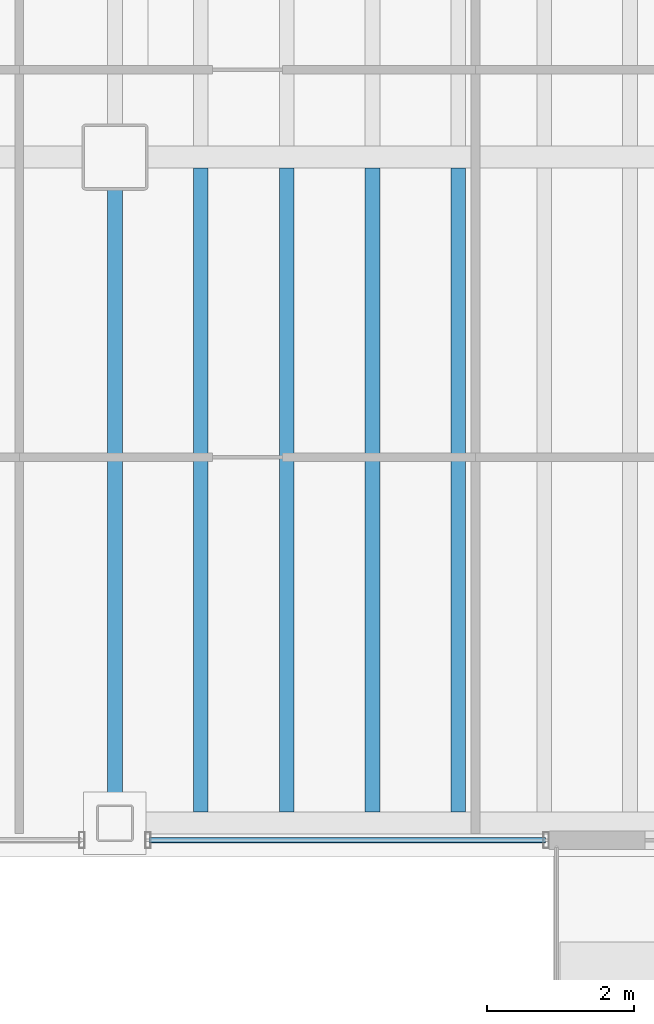
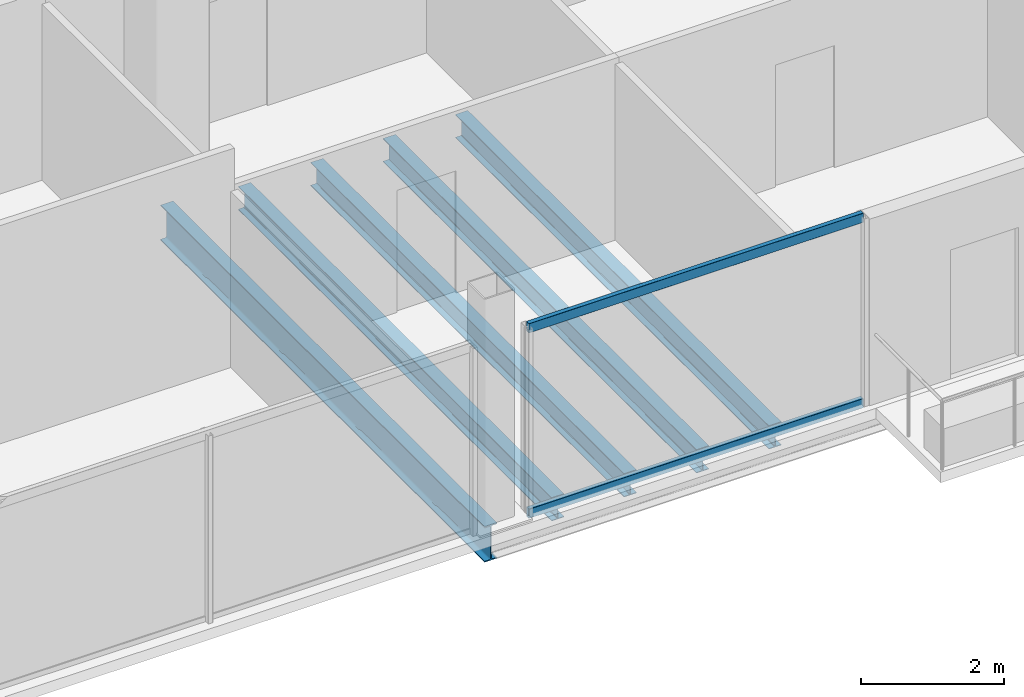
# One storey, part 3 of 22: 5 beams, 2 members, 1 element without a shape of its own.
"""IFC4 building model written with IfcOpenShell, lengths in metres."""

from ifc_helpers import new_model, si_unit, direction, frame, origin, origin_2d, place, context, subcontext, project, spatial, hollow_rectangle, i_section, extrude, material, material_profile, profile_set, type_object, element, aggregate, save


model = new_model("IFC4")

# Units and contexts
model_context = context("Model", 3, precision=1e-05, world=origin(), true_north=direction((0.0, 1.0)))
body_context = subcontext(model_context, "Body", "Model", "MODEL_VIEW")
ifc_project = project(units=[si_unit("LENGTHUNIT", "METRE"), si_unit("AREAUNIT", "SQUARE_METRE"), si_unit("VOLUMEUNIT", "CUBIC_METRE"), si_unit("PLANEANGLEUNIT", "RADIAN"), si_unit("MASSUNIT", "GRAM", prefix="KILO")], contexts=[model_context])

# Site, building, storey
site_placement = place(None, origin())
site = spatial("IfcSite", under=ifc_project, at=site_placement, CompositionType="ELEMENT")
building_placement = place(site_placement, origin())
building = spatial("IfcBuilding", under=site, at=building_placement, Name="Noeulbin Bourse Tower", CompositionType="ELEMENT")
storey_placement = place(building_placement, frame((0.0, 0.0, 130.5)))
storey = spatial("IfcBuildingStorey", under=building, at=storey_placement, Name="L32", CompositionType="ELEMENT", Elevation=130.5)

# Beams
ifc_material_1 = material(Name="Steel S355", Category="steel")
ifc_material_profile_1 = material_profile(ifc_material_1, i_section(OverallWidth=0.199951171875, OverallDepth=0.60009765625, WebThickness=0.010986328125, FlangeThickness=0.01708984375, FilletRadius=0.02197265625, at=origin_2d()), Name="H-600x200x11x17", Category="LoadBearing")
ifc_profile_set_1 = profile_set([ifc_material_profile_1], Name="Steel S355")
beam_type_1 = type_object("IfcBeamType", Name="BM-GRD-600", PredefinedType="USERDEFINED", material=ifc_profile_set_1)
beam_placement = place(storey_placement, frame((13.5, 10.949951171875, -0.47998046875), z_axis=(0.0, 1.0, 0.0), x_axis=(-1.0, 0.0, 0.0)))
element("IfcBeam", 1, at=beam_placement, inside=storey, type_object=beam_type_1, Name="Tower Primary Girder NS L32-1.1", ObjectType="GIRDER", PredefinedType="USERDEFINED", context=body_context, shape_type="SweptSolid", body=[
    extrude(i_section(OverallWidth=0.199951171875, OverallDepth=0.60009765625, WebThickness=0.010986328125, FlangeThickness=0.01708984375, FilletRadius=0.02197265625, at=origin_2d()), origin(), (0.0, 0.0, 1.0), 9.050048828125),
])
ifc_material_profile_2 = material_profile(ifc_material_1, i_section(OverallWidth=0.199951171875, OverallDepth=0.39990234375, WebThickness=0.008056640625, FlangeThickness=0.012939453125, FilletRadius=0.01611328125, at=origin_2d()), Name="H-400x200x8x13", Category="LoadBearing")
ifc_profile_set_2 = profile_set([ifc_material_profile_2], Name="Steel S355")
beam_type_2 = type_object("IfcBeamType", Name="BM-SEC-400", PredefinedType="BEAM", material=ifc_profile_set_2)
for number, where, z_axis, x_axis, name in (
    (2, (14.666748046875, 11.10009765625, -0.3798828125), (0.0, 1.0, 0.0), (-1.0, 0.0, 0.0), "Tower Composite Joist L32-01"),
    (3, (15.833251953125, 11.10009765625, -0.3798828125), (0.0, 1.0, 0.0), (-1.0, 0.0, 0.0), "Tower Composite Joist L32-03"),
    (4, (17.0, 11.10009765625, -0.3798828125), (0.0, 1.0, 0.0), (-1.0, 0.0, 0.0), "Tower Composite Joist L32-05"),
    (5, (18.166748046875, 11.10009765625, -0.3798828125), (0.0, 1.0, 0.0), (-1.0, 0.0, 0.0), "Tower Composite Joist L32-07"),
):
    element("IfcBeam", number, at=place(storey_placement, frame(where, z_axis=z_axis, x_axis=x_axis)), inside=storey, type_object=beam_type_2, Name=name, PredefinedType="BEAM", context=body_context, shape_type="SweptSolid", body=[
        extrude(i_section(OverallWidth=0.199951171875, OverallDepth=0.39990234375, WebThickness=0.008056640625, FlangeThickness=0.012939453125, FilletRadius=0.01611328125, at=origin_2d()), origin(), (0.0, 0.0, 1.0), 8.75),
    ])

# Curtain wall, members
ifc_material_2 = material(Name="Dark Tinted Triple Glazing", Category="glass")
curtain_wall_type = type_object("IfcCurtainWallType", Name="CW-SYS-3", PredefinedType="NOTDEFINED", material=ifc_material_2)
curtain_wall_placement = place(storey_placement, origin())
curtain_wall = element("IfcCurtainWall", 6, at=curtain_wall_placement, inside=storey, type_object=curtain_wall_type, Name="Unitised Curtain Wall CW-L32-S1-S2", PredefinedType="NOTDEFINED")
ifc_material_3 = material(Name="Anodised Aluminium 6063-T6", Category="aluminium")
ifc_material_profile_3 = material_profile(ifc_material_3, hollow_rectangle(XDim=0.074951171875, YDim=0.159912109375, WallThickness=0.0048828125, InnerFilletRadius=0.00244140625, OuterFilletRadius=0.0048828125, at=origin_2d()), Name="ALU-TRAN-75x160x5", Category="LoadBearing")
ifc_profile_set_3 = profile_set([ifc_material_profile_3], Name="Anodised Aluminium 6063-T6")
member_type = type_object("IfcMemberType", Name="CW-SYS-3-TRN", PredefinedType="USERDEFINED", material=ifc_profile_set_3)
member_1_placement = place(storey_placement, frame((13.9599609375, 10.719970703125, 0.010009765625), z_axis=(1.0, 0.0, 0.0), x_axis=(0.0, 1.0, 0.0)))
member_1 = element("IfcMember", 7, at=member_1_placement, type_object=member_type, Name="Curtain Wall Transom CW-L32-S1-S2-T00", ObjectType="TRANSOM", PredefinedType="USERDEFINED", context=body_context, shape_type="SweptSolid", body=[
    extrude(hollow_rectangle(XDim=0.074951171875, YDim=0.159912109375, WallThickness=0.0048828125, InnerFilletRadius=0.00244140625, OuterFilletRadius=0.0048828125, at=origin_2d()), origin(), (0.0, 0.0, 1.0), 5.39013671875),
])
member_2_placement = place(storey_placement, frame((13.9599609375, 10.719970703125, 3.169921875), z_axis=(1.0, 0.0, 0.0), x_axis=(0.0, 1.0, 0.0)))
member_2 = element("IfcMember", 8, at=member_2_placement, type_object=member_type, Name="Curtain Wall Transom CW-L32-S1-S2-T01", ObjectType="TRANSOM", PredefinedType="USERDEFINED", context=body_context, shape_type="SweptSolid", body=[
    extrude(hollow_rectangle(XDim=0.074951171875, YDim=0.159912109375, WallThickness=0.0048828125, InnerFilletRadius=0.00244140625, OuterFilletRadius=0.0048828125, at=origin_2d()), origin(), (0.0, 0.0, 1.0), 5.39013671875),
])
aggregate(curtain_wall, [member_1, member_2])

save(model, "model.ifc")
